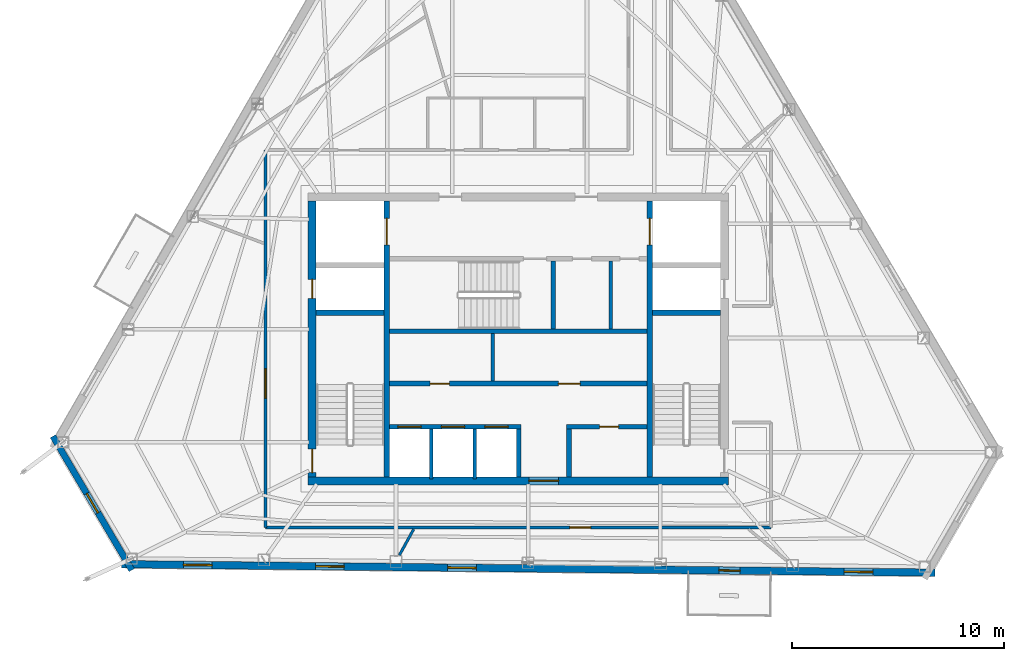
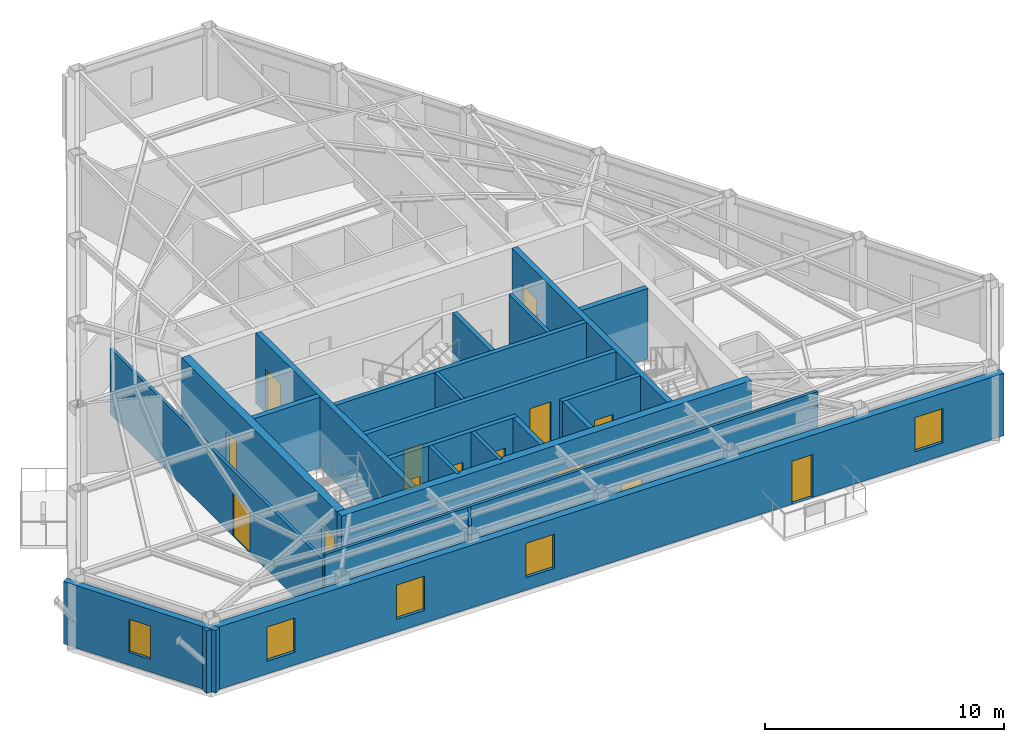
# One storey, part 7 of 11: 22 walls, 14 doors, 5 windows, 19 openings.
"""IFC4 building model written with IfcOpenShell, lengths in metres."""

import ifcopenshell
import ifcopenshell.guid

model = None  # the IFC model being written
_history = None  # IfcOwnerHistory: only IFC2X3 demands one
_inside = {}  # id of a spatial element -> (the spatial element, [elements in it])
_under = {}  # id of a project, library or spatial element -> (it, [spatial elements below it])
_declared = {}  # id of a project -> (the project, [libraries it declares])
_typed = {}  # id of a type object -> (the type object, [elements of that type])
_made_of = {}  # id of a material, layer set ... -> (it, [elements and type objects made of it])


def new_model(schema):
    """Start an empty IFC model of exactly this schema.

    Asked for "IFC4X3", IfcOpenShell would pick the latest addendum, in which some entities
    have other attributes; the version numbers below select the first issue.
    IFC2X3 requires an IfcOwnerHistory on every rooted entity: one is made here for all.
    """
    global model, _history
    if schema == "IFC4X3":
        model = ifcopenshell.file(schema_version=(4, 3, 0, 0))
    else:
        model = ifcopenshell.file(schema=schema)
    _inside.clear()
    _under.clear()
    _declared.clear()
    _typed.clear()
    _made_of.clear()
    _history = None
    if model.schema == "IFC2X3":
        org = make("IfcOrganization", Name="unknown")
        user = make(
            "IfcPersonAndOrganization",
            ThePerson=make("IfcPerson", FamilyName="unknown"),
            TheOrganization=org,
        )
        app = make(
            "IfcApplication",
            ApplicationDeveloper=org,
            Version="unknown",
            ApplicationFullName="unknown",
            ApplicationIdentifier="unknown",
        )
        _history = make(
            "IfcOwnerHistory",
            OwningUser=user,
            OwningApplication=app,
            ChangeAction="ADDED",
            CreationDate=0,
        )
    return model


def make(cls, **values):
    """One entity of the class cls with the attributes given. An attribute that is None is left unset."""
    return model.create_entity(
        cls, **{name: value for name, value in values.items() if value is not None}
    )


def rooted(cls, **values):
    """An entity with a GlobalId (a new one), such as an element, a storey or a relation."""
    return make(cls, GlobalId=ifcopenshell.guid.new(), OwnerHistory=_history, **values)


def si_unit(unit_type, name, prefix=None):
    """IfcSIUnit, for example si_unit("LENGTHUNIT", "METRE", prefix="MILLI")."""
    return make("IfcSIUnit", UnitType=unit_type, Prefix=prefix, Name=name)


def assignment(units):
    """IfcUnitAssignment: the units of a project."""
    return None if units is None else make("IfcUnitAssignment", Units=units)


def point(xyz):
    """IfcCartesianPoint."""
    return None if xyz is None else make("IfcCartesianPoint", Coordinates=xyz)


def direction(xyz):
    """IfcDirection."""
    return None if xyz is None else make("IfcDirection", DirectionRatios=xyz)


def frame(location, z_axis=None, x_axis=None):
    """IfcAxis2Placement3D, a coordinate frame: its origin and axes. An axis left out is left unset."""
    return make(
        "IfcAxis2Placement3D",
        Location=point(location),
        Axis=direction(z_axis),
        RefDirection=direction(x_axis),
    )


def frame_2d(location, x_axis=None):
    """IfcAxis2Placement2D, a coordinate frame in the plane: its origin and x axis."""
    return make(
        "IfcAxis2Placement2D", Location=point(location), RefDirection=direction(x_axis)
    )


def origin():
    """The frame at (0, 0, 0) with its axes left unset."""
    return frame((0.0, 0.0, 0.0))


def place(relative_to, where):
    """IfcLocalPlacement: puts the frame where relative to a parent placement (None: the world)."""
    return make(
        "IfcLocalPlacement", PlacementRelTo=relative_to, RelativePlacement=where
    )


def context(
    kind, dimensions, precision=None, world=None, true_north=None, identifier=None
):
    """IfcGeometricRepresentationContext, for example the 3D "Model" context."""
    return make(
        "IfcGeometricRepresentationContext",
        ContextIdentifier=identifier,
        ContextType=kind,
        CoordinateSpaceDimension=dimensions,
        Precision=precision,
        WorldCoordinateSystem=world,
        TrueNorth=true_north,
    )


def subcontext(parent, identifier, kind, view, scale=None):
    """IfcGeometricRepresentationSubContext, for example "Body" below "Model"."""
    return make(
        "IfcGeometricRepresentationSubContext",
        ContextIdentifier=identifier,
        ContextType=kind,
        ParentContext=parent,
        TargetScale=scale,
        TargetView=view,
    )


def project(units=None, contexts=None):
    """IfcProject with its units and contexts."""
    return rooted(
        "IfcProject",
        Name="project",
        RepresentationContexts=contexts,
        UnitsInContext=assignment(units),
    )


def spatial(cls, under=None, at=None, **own):
    """A site, building, storey or space (cls), placed at a placement, below another one or the project."""
    s = rooted(cls, ObjectPlacement=at, **own)
    if under is not None:
        _under.setdefault(under.id(), (under, []))[1].append(s)
    return s


def profile(cls, at=None, kind="AREA", **sizes):
    """A parametric profile (cls). Its sizes go by their IFC names, for example OverallWidth=200.0."""
    return make(cls, ProfileType=kind, Position=at, **sizes)


def rectangle(**sizes):
    """IfcRectangleProfileDef."""
    return profile("IfcRectangleProfileDef", **sizes)


def extrude(swept, where, along, depth):
    """IfcExtrudedAreaSolid: the profile swept, set in the frame where, extruded along a direction by depth."""
    return make(
        "IfcExtrudedAreaSolid",
        SweptArea=swept,
        Position=where,
        ExtrudedDirection=direction(along),
        Depth=depth,
    )


def shape(context_of_items, identifier, shape_type, items):
    """IfcShapeRepresentation: the items that make up one representation, for example the "Body"."""
    return make(
        "IfcShapeRepresentation",
        ContextOfItems=context_of_items,
        RepresentationIdentifier=identifier,
        RepresentationType=shape_type,
        Items=items,
    )


def material(Name=None, Category=None):
    """IfcMaterial."""
    return make("IfcMaterial", Name=Name, Category=Category)


def layer(
    of_material, thickness, ventilated=None, Name=None, Category=None, Priority=None
):
    """IfcMaterialLayer: one layer of a wall or slab, of a material (None: an air gap)."""
    return make(
        "IfcMaterialLayer",
        Material=of_material,
        LayerThickness=thickness,
        IsVentilated=ventilated,
        Name=Name,
        Category=Category,
        Priority=Priority,
    )


def layer_set(layers, Name=None):
    """IfcMaterialLayerSet."""
    return make("IfcMaterialLayerSet", MaterialLayers=layers, LayerSetName=Name)


def made_of(thing, what):
    """Note that an element or type object is made of a material, layer set ...; save() writes the relation."""
    if what is not None:
        _made_of.setdefault(what.id(), (what, []))[1].append(thing)
    return thing


def type_object(cls, material=None, **own):
    """A type object (cls), such as IfcWallType, which elements share."""
    return made_of(rooted(cls, **own), material)


def element(
    cls,
    number,
    at=None,
    inside=None,
    cuts=None,
    type_object=None,
    material=None,
    context=None,
    identifier="Body",
    shape_type=None,
    held_by="IfcProductDefinitionShape",
    body=None,
    shapes=None,
    **own,
):
    """One element of the class cls, such as IfcWall. Its Tag is "e" and its number.

    at: its placement. inside: the storey or other place that contains it. cuts: it is an
    opening in that element (IfcRelVoidsElement). A single representation is given by context,
    identifier, shape_type and body (its items); several are given by shapes. held_by: the class
    of the entity that holds the representations. save() writes the other relations.
    """
    e = rooted(cls, Tag="e%d" % number, ObjectPlacement=at, **own)
    if body is not None:
        shapes = [shape(context, identifier, shape_type, body)]
    if shapes is not None:
        e.Representation = make(held_by, Representations=shapes)
    if inside is not None:
        _inside.setdefault(inside.id(), (inside, []))[1].append(e)
    if cuts is not None:
        rooted(
            "IfcRelVoidsElement", RelatingBuildingElement=cuts, RelatedOpeningElement=e
        )
    if type_object is not None:
        _typed.setdefault(type_object.id(), (type_object, []))[1].append(e)
    return made_of(e, material)


def fill(opening, filler):
    """IfcRelFillsElement: the door or window that sits in an opening."""
    return rooted(
        "IfcRelFillsElement",
        RelatingOpeningElement=opening,
        RelatedBuildingElement=filler,
    )


def aggregate(whole, parts):
    """IfcRelAggregates: a whole, such as a stair, and the parts it consists of."""
    return rooted("IfcRelAggregates", RelatingObject=whole, RelatedObjects=parts)


def save(model, path):
    """Write the relations noted so far, then the file.

    IfcRelAggregates (storeys below a building ...), IfcRelContainedInSpatialStructure (elements
    in a storey), IfcRelDefinesByType, IfcRelAssociatesMaterial and IfcRelDeclares: one each for
    every whole, place, type object, material and project.
    """
    for whole, parts in _under.values():
        aggregate(whole, parts)
    for where, things in _inside.values():
        rooted(
            "IfcRelContainedInSpatialStructure",
            RelatedElements=things,
            RelatingStructure=where,
        )
    for kind, things in _typed.values():
        rooted("IfcRelDefinesByType", RelatedObjects=things, RelatingType=kind)
    for what, things in _made_of.values():
        rooted("IfcRelAssociatesMaterial", RelatedObjects=things, RelatingMaterial=what)
    for by, libraries in _declared.values():
        rooted("IfcRelDeclares", RelatingContext=by, RelatedDefinitions=libraries)
    model.write(path)


model = new_model("IFC4")

# Units and contexts
model_context = context("Model", 3, precision=1e-05, world=origin(), true_north=direction((0.0, 1.0)))
body_context = subcontext(model_context, "Body", "Model", "MODEL_VIEW")
ifc_project = project(units=[si_unit("LENGTHUNIT", "METRE"), si_unit("AREAUNIT", "SQUARE_METRE"), si_unit("VOLUMEUNIT", "CUBIC_METRE"), si_unit("PLANEANGLEUNIT", "RADIAN"), si_unit("MASSUNIT", "GRAM", prefix="KILO")], contexts=[model_context])

# Site, building, storey
site_placement = place(None, origin())
site = spatial("IfcSite", under=ifc_project, at=site_placement, CompositionType="ELEMENT")
building_placement = place(site_placement, origin())
building = spatial("IfcBuilding", under=site, at=building_placement, Name="Kavelnor Concourse Tower", CompositionType="ELEMENT")
storey_placement = place(building_placement, frame((0.0, 0.0, 262.60009765625)))
storey = spatial("IfcBuildingStorey", under=building, at=storey_placement, Name="L66", CompositionType="ELEMENT", Elevation=262.60009765625)

# Wall, opening, door
ifc_material_1 = material(Name="Concrete C50/60", Category="concrete")
ifc_layer_1 = layer(ifc_material_1, 0.3798828125, Name="Concrete C50/60")
ifc_layer_set_1 = layer_set([ifc_layer_1], Name="Concrete C50/60")
wall_type_1 = type_object("IfcWallType", Name="WL-CORE-Z4-380", PredefinedType="SOLIDWALL", material=ifc_layer_set_1)
wall_1_placement = place(storey_placement, frame((28.10009765625, 9.409912109375, 0.0), z_axis=(0.0, 0.0, 1.0), x_axis=(1.0, 0.0, 0.0)))
wall_1 = element("IfcWall", 1, at=wall_1_placement, inside=storey, type_object=wall_type_1, Name="L66 Central Core South Shear Wall", PredefinedType="SOLIDWALL", context=body_context, shape_type="SweptSolid", body=[
    extrude(rectangle(XDim=19.7998046875, YDim=0.3798828125, at=frame_2d((9.89990234375, 0.0))), origin(), (0.0, 0.0, 1.0), 3.60986328125),
])
opening_1_placement = place(wall_1_placement, frame((10.39990234375, 0.0, 0.0)))
opening_1 = element("IfcOpeningElement", 2, at=opening_1_placement, cuts=wall_1, Name="Opening SD-140", PredefinedType="OPENING", context=body_context, shape_type="SweptSolid", body=[
    extrude(rectangle(XDim=1.39990234375, YDim=2.199951171875, at=frame_2d((0.699951171875, 1.10009765625))), frame((0.0, 0.199951171875, 0.0), z_axis=(0.0, -1.0, 0.0), x_axis=(1.0, 0.0, 0.0)), (0.0, 0.0, 1.0), 0.39990234375),
])
ifc_material_2 = material(Name="Solid-core hardwood timber", Category="wood")
door_type_1 = type_object("IfcDoorType", Name="DR-SUITE-ENTRY-1400", OperationType="NOTDEFINED", PredefinedType="DOOR", material=ifc_material_2)
door_1_placement = place(opening_1_placement, origin())
door_1 = element("IfcDoor", 3, at=door_1_placement, inside=storey, type_object=door_type_1, Name="L66 Passenger Lift Lobby Entry Door", OperationType="SINGLE_SWING_LEFT", OverallHeight=2.199951171875, OverallWidth=1.39990234375, PredefinedType="DOOR", context=body_context, shape_type="SweptSolid", body=[
    extrude(rectangle(XDim=1.39990234375, YDim=2.199951171875, at=frame_2d((0.699951171875, 1.10009765625))), frame((0.0, 0.02490234375, 0.0), z_axis=(0.0, -1.0, 0.0), x_axis=(1.0, 0.0, 0.0)), (0.0, 0.0, 1.0), 0.050048828125),
])
fill(opening_1, door_1)

# Wall, openings, doors
wall_2_placement = place(storey_placement, frame((28.2900390625, 9.60009765625, 0.0), z_axis=(0.0, 0.0, 1.0), x_axis=(0.0, 1.0, 0.0)))
wall_2 = element("IfcWall", 4, at=wall_2_placement, inside=storey, type_object=wall_type_1, Name="L66 Central Core West Shear Wall", PredefinedType="SOLIDWALL", context=body_context, shape_type="SweptSolid", body=[
    extrude(rectangle(XDim=13.0, YDim=0.3798828125, at=frame_2d((6.5, 0.0))), origin(), (0.0, 0.0, 1.0), 3.60986328125),
])
opening_2_placement = place(wall_2_placement, frame((0.199951171875, 0.0, 0.0)))
opening_2 = element("IfcOpeningElement", 5, at=opening_2_placement, cuts=wall_2, Name="Opening FD-110", PredefinedType="OPENING", context=body_context, shape_type="SweptSolid", body=[
    extrude(rectangle(XDim=1.10009765625, YDim=2.14990234375, at=frame_2d((0.550048828125, 1.074951171875))), frame((0.0, 0.199951171875, 0.0), z_axis=(0.0, -1.0, 0.0), x_axis=(1.0, 0.0, 0.0)), (0.0, 0.0, 1.0), 0.39990234375),
])
opening_3_placement = place(wall_2_placement, frame((8.39990234375, 0.0, 0.0)))
opening_3 = element("IfcOpeningElement", 6, at=opening_3_placement, cuts=wall_2, Name="Opening FD-090", PredefinedType="OPENING", context=body_context, shape_type="SweptSolid", body=[
    extrude(rectangle(XDim=0.89990234375, YDim=2.10009765625, at=frame_2d((0.449951171875, 1.050048828125))), frame((0.0, 0.199951171875, 0.0), z_axis=(0.0, -1.0, 0.0), x_axis=(1.0, 0.0, 0.0)), (0.0, 0.0, 1.0), 0.39990234375),
])
ifc_material_3 = material(Name="Steel Grade 350", Category="steel")
door_type_2 = type_object("IfcDoorType", Name="DR-RISER-FIRE-900", OperationType="NOTDEFINED", PredefinedType="DOOR", material=ifc_material_3)
door_2_placement = place(opening_3_placement, origin())
door_2 = element("IfcDoor", 7, at=door_2_placement, inside=storey, type_object=door_type_2, Name="L66 West Riser Access Door", OperationType="SINGLE_SWING_RIGHT", OverallHeight=2.10009765625, OverallWidth=0.89990234375, PredefinedType="DOOR", context=body_context, shape_type="SweptSolid", body=[
    extrude(rectangle(XDim=0.89990234375, YDim=2.10009765625, at=frame_2d((0.449951171875, 1.050048828125))), frame((0.0, 0.02490234375, 0.0), z_axis=(0.0, -1.0, 0.0), x_axis=(1.0, 0.0, 0.0)), (0.0, 0.0, 1.0), 0.050048828125),
])
fill(opening_3, door_2)
door_type_3 = type_object("IfcDoorType", Name="DR-STAIR-FIRE-1100", OperationType="NOTDEFINED", PredefinedType="DOOR", material=ifc_material_3)
door_3_placement = place(opening_2_placement, origin())
door_3 = element("IfcDoor", 8, at=door_3_placement, inside=storey, type_object=door_type_3, Name="L66 Stair ST1 Fire Door", OperationType="SINGLE_SWING_LEFT", OverallHeight=2.14990234375, OverallWidth=1.10009765625, PredefinedType="DOOR", context=body_context, shape_type="SweptSolid", body=[
    extrude(rectangle(XDim=1.10009765625, YDim=2.14990234375, at=frame_2d((0.550048828125, 1.074951171875))), frame((0.0, 0.02490234375, 0.0), z_axis=(0.0, -1.0, 0.0), x_axis=(1.0, 0.0, 0.0)), (0.0, 0.0, 1.0), 0.050048828125),
])
fill(opening_2, door_3)

# Wall, opening, window
ifc_material_4 = material(Name="Buff ironspot clay face brick masonry", Category="masonry")
ifc_layer_2 = layer(ifc_material_4, 0.300048828125, Name="Buff ironspot clay face brick masonry")
ifc_layer_set_2 = layer_set([ifc_layer_2], Name="Buff ironspot clay face brick masonry")
wall_type_2 = type_object("IfcWallType", Name="WL-EXT-BUFF-BRICK-FOLD-300", PredefinedType="STANDARD", material=ifc_layer_set_2)
wall_3_placement = place(storey_placement, frame((19.791748046875, 5.202392578125, 0.0), z_axis=(0.0, 0.0, 1.0), x_axis=(-0.507700707672, 0.861533511495, 0.0)))
wall_3 = element("IfcWall", 9, at=wall_3_placement, inside=storey, type_object=wall_type_2, Name="L66 Exterior Brick Facade Wall E2", PredefinedType="STANDARD", context=body_context, shape_type="SweptSolid", body=[
    extrude(rectangle(XDim=7.3193359375, YDim=0.300048828125, at=frame_2d((3.65966796875, 0.0))), origin(), (0.0, 0.0, 1.0), 3.19580078125),
])
opening_4_placement = place(wall_3_placement, frame((3.134765625, 0.0, 0.64990234375)))
opening_4 = element("IfcOpeningElement", 10, at=opening_4_placement, cuts=wall_3, Name="Opening W-06", PredefinedType="OPENING", context=body_context, shape_type="SweptSolid", body=[
    extrude(rectangle(XDim=1.050048828125, YDim=1.699951171875, at=frame_2d((0.52490234375, 0.85009765625))), frame((0.0, 0.16015625, 0.0), z_axis=(0.0, -1.0, 0.0), x_axis=(1.0, 0.0, 0.0)), (0.0, 0.0, 1.0), 0.320068359375),
])
ifc_material_5 = material(Name="Double low-E argon insulated glazing", Category="glass")
window_type_1 = type_object("IfcWindowType", Name="WIN-FOLD-1050", PartitioningType="SINGLE_PANEL", PredefinedType="WINDOW", material=ifc_material_5)
window_1_placement = place(opening_4_placement, origin())
window_1 = element("IfcWindow", 11, at=window_1_placement, inside=storey, type_object=window_type_1, Name="L66 Chamfer-Fold Facet Window C1", OverallHeight=1.699951171875, OverallWidth=1.050048828125, PartitioningType="SINGLE_PANEL", PredefinedType="WINDOW", context=body_context, shape_type="SweptSolid", body=[
    extrude(rectangle(XDim=1.050048828125, YDim=1.699951171875, at=frame_2d((0.52490234375, 0.85009765625))), frame((0.0, 0.030029296875, 0.0), z_axis=(0.0, -1.0, 0.0), x_axis=(1.0, 0.0, 0.0)), (0.0, 0.0, 1.0), 0.06005859375),
])
fill(opening_4, window_1)

# Wall, openings, door, windows
ifc_material_6 = material(Name="Red-ochre clay face brick masonry", Category="masonry")
ifc_layer_3 = layer(ifc_material_6, 0.35009765625, Name="Red-ochre clay face brick masonry")
ifc_layer_set_3 = layer_set([ifc_layer_3], Name="Red-ochre clay face brick masonry")
wall_type_3 = type_object("IfcWallType", Name="WL-EXT-RED-BRICK-PIER-350", PredefinedType="STANDARD", material=ifc_layer_set_3)
wall_4_placement = place(storey_placement, frame((57.623291015625, 5.08203125, 0.0), z_axis=(0.0, 0.0, 1.0), x_axis=(-0.999946058155, 0.010386567308, 0.0)))
wall_4 = element("IfcWall", 12, at=wall_4_placement, inside=storey, type_object=wall_type_3, Name="L66 Exterior Brick Facade Wall E3", PredefinedType="STANDARD", context=body_context, shape_type="SweptSolid", body=[
    extrude(rectangle(XDim=38.313720703125, YDim=0.35009765625, at=frame_2d((19.15673828125, 0.0))), origin(), (0.0, 0.0, 1.0), 3.19580078125),
])
opening_5_placement = place(wall_4_placement, frame((9.178466796875, 0.0, 0.0)))
opening_5 = element("IfcOpeningElement", 13, at=opening_5_placement, cuts=wall_4, Name="Opening BD-100", PredefinedType="OPENING", context=body_context, shape_type="SweptSolid", body=[
    extrude(rectangle(XDim=1.0, YDim=2.199951171875, at=frame_2d((0.5, 1.10009765625))), frame((0.0, 0.18505859375, 0.0), z_axis=(0.0, -1.0, 0.0), x_axis=(1.0, 0.0, 0.0)), (0.0, 0.0, 1.0), 0.3701171875),
])
opening_6_placement = place(wall_4_placement, frame((34.054443359375, 0.0, 0.64990234375)))
opening_6 = element("IfcOpeningElement", 14, at=opening_6_placement, cuts=wall_4, Name="Opening W-04", PredefinedType="OPENING", context=body_context, shape_type="SweptSolid", body=[
    extrude(rectangle(XDim=1.35009765625, YDim=1.75, at=frame_2d((0.675048828125, 0.875))), frame((0.0, 0.18505859375, 0.0), z_axis=(0.0, -1.0, 0.0), x_axis=(1.0, 0.0, 0.0)), (0.0, 0.0, 1.0), 0.3701171875),
])
opening_7_placement = place(wall_4_placement, frame((27.827392578125, 0.0, 0.64990234375)))
opening_7 = element("IfcOpeningElement", 15, at=opening_7_placement, cuts=wall_4, Name="Opening W-04", PredefinedType="OPENING", context=body_context, shape_type="SweptSolid", body=[
    extrude(rectangle(XDim=1.35009765625, YDim=1.75, at=frame_2d((0.675048828125, 0.875))), frame((0.0, 0.18505859375, 0.0), z_axis=(0.0, -1.0, 0.0), x_axis=(1.0, 0.0, 0.0)), (0.0, 0.0, 1.0), 0.3701171875),
])
opening_8_placement = place(wall_4_placement, frame((21.6005859375, 0.0, 0.64990234375)))
opening_8 = element("IfcOpeningElement", 16, at=opening_8_placement, cuts=wall_4, Name="Opening W-04", PredefinedType="OPENING", context=body_context, shape_type="SweptSolid", body=[
    extrude(rectangle(XDim=1.35009765625, YDim=1.75, at=frame_2d((0.675048828125, 0.875))), frame((0.0, 0.18505859375, 0.0), z_axis=(0.0, -1.0, 0.0), x_axis=(1.0, 0.0, 0.0)), (0.0, 0.0, 1.0), 0.3701171875),
])
opening_9_placement = place(wall_4_placement, frame((2.91943359375, 0.0, 0.64990234375)))
opening_9 = element("IfcOpeningElement", 17, at=opening_9_placement, cuts=wall_4, Name="Opening W-04", PredefinedType="OPENING", context=body_context, shape_type="SweptSolid", body=[
    extrude(rectangle(XDim=1.35009765625, YDim=1.75, at=frame_2d((0.675048828125, 0.875))), frame((0.0, 0.18505859375, 0.0), z_axis=(0.0, -1.0, 0.0), x_axis=(1.0, 0.0, 0.0)), (0.0, 0.0, 1.0), 0.3701171875),
])
ifc_material_7 = material(Name="Anodised aluminium 6063-T6", Category="aluminium")
door_type_4 = type_object("IfcDoorType", Name="DR-BALCONY-EXT-1000", OperationType="NOTDEFINED", PredefinedType="DOOR", material=ifc_material_7)
door_4_placement = place(opening_5_placement, origin())
door_4 = element("IfcDoor", 18, at=door_4_placement, inside=storey, type_object=door_type_4, Name="L66 Tree Balcony 2 Glazed Door", OperationType="SINGLE_SWING_RIGHT", OverallHeight=2.199951171875, OverallWidth=1.0, PredefinedType="DOOR", context=body_context, shape_type="SweptSolid", body=[
    extrude(rectangle(XDim=1.0, YDim=2.199951171875, at=frame_2d((0.5, 1.10009765625))), frame((0.0, 0.02490234375, 0.0), z_axis=(0.0, -1.0, 0.0), x_axis=(1.0, 0.0, 0.0)), (0.0, 0.0, 1.0), 0.050048828125),
])
fill(opening_5, door_4)
window_type_2 = type_object("IfcWindowType", Name="WIN-PIER-Z4-1350", PartitioningType="SINGLE_PANEL", PredefinedType="WINDOW", material=ifc_material_5)
window_2_placement = place(opening_6_placement, origin())
window_2 = element("IfcWindow", 19, at=window_2_placement, inside=storey, type_object=window_type_2, Name="L66 Deep-Set Brick Pier Window F1-B0", OverallHeight=1.75, OverallWidth=1.35009765625, PartitioningType="SINGLE_PANEL", PredefinedType="WINDOW", context=body_context, shape_type="SweptSolid", body=[
    extrude(rectangle(XDim=1.35009765625, YDim=1.75, at=frame_2d((0.675048828125, 0.875))), frame((0.0, 0.030029296875, 0.0), z_axis=(0.0, -1.0, 0.0), x_axis=(1.0, 0.0, 0.0)), (0.0, 0.0, 1.0), 0.06005859375),
])
fill(opening_6, window_2)
window_3_placement = place(opening_7_placement, origin())
window_3 = element("IfcWindow", 20, at=window_3_placement, inside=storey, type_object=window_type_2, Name="L66 Deep-Set Brick Pier Window F1-B1", OverallHeight=1.75, OverallWidth=1.35009765625, PartitioningType="SINGLE_PANEL", PredefinedType="WINDOW", context=body_context, shape_type="SweptSolid", body=[
    extrude(rectangle(XDim=1.35009765625, YDim=1.75, at=frame_2d((0.675048828125, 0.875))), frame((0.0, 0.030029296875, 0.0), z_axis=(0.0, -1.0, 0.0), x_axis=(1.0, 0.0, 0.0)), (0.0, 0.0, 1.0), 0.06005859375),
])
fill(opening_7, window_3)
window_4_placement = place(opening_8_placement, origin())
window_4 = element("IfcWindow", 21, at=window_4_placement, inside=storey, type_object=window_type_2, Name="L66 Deep-Set Brick Pier Window F1-B2", OverallHeight=1.75, OverallWidth=1.35009765625, PartitioningType="SINGLE_PANEL", PredefinedType="WINDOW", context=body_context, shape_type="SweptSolid", body=[
    extrude(rectangle(XDim=1.35009765625, YDim=1.75, at=frame_2d((0.675048828125, 0.875))), frame((0.0, 0.030029296875, 0.0), z_axis=(0.0, -1.0, 0.0), x_axis=(1.0, 0.0, 0.0)), (0.0, 0.0, 1.0), 0.06005859375),
])
fill(opening_8, window_4)
window_5_placement = place(opening_9_placement, origin())
window_5 = element("IfcWindow", 22, at=window_5_placement, inside=storey, type_object=window_type_2, Name="L66 Deep-Set Brick Pier Window F1-B5", OverallHeight=1.75, OverallWidth=1.35009765625, PartitioningType="SINGLE_PANEL", PredefinedType="WINDOW", context=body_context, shape_type="SweptSolid", body=[
    extrude(rectangle(XDim=1.35009765625, YDim=1.75, at=frame_2d((0.675048828125, 0.875))), frame((0.0, 0.030029296875, 0.0), z_axis=(0.0, -1.0, 0.0), x_axis=(1.0, 0.0, 0.0)), (0.0, 0.0, 1.0), 0.06005859375),
])
fill(opening_9, window_5)

# Wall, opening, door
ifc_material_8 = material(Name="Gypsum plasterboard on light-gauge steel studs", Category="steel")
ifc_layer_4 = layer(ifc_material_8, 0.14501953125, Name="Gypsum plasterboard on light-gauge steel studs")
ifc_layer_set_4 = layer_set([ifc_layer_4], Name="Gypsum plasterboard on light-gauge steel studs")
wall_type_4 = type_object("IfcWallType", Name="WL-INT-CORR-145", PredefinedType="PARTITIONING", material=ifc_layer_set_4)
wall_5_placement = place(storey_placement, frame((49.909912109375, 7.2099609375, 0.0), z_axis=(0.0, 0.0, 1.0), x_axis=(-1.0, 0.0, 0.0)))
wall_5 = element("IfcWall", 23, at=wall_5_placement, inside=storey, type_object=wall_type_4, Name="L66 Corridor Wall WL-L66-CR-09", PredefinedType="PARTITIONING", context=body_context, shape_type="SweptSolid", body=[
    extrude(rectangle(XDim=23.81982421875, YDim=0.14501953125, at=frame_2d((11.909912109375, 0.0))), origin(), (0.0, 0.0, 1.0), 3.60986328125),
])
opening_10_placement = place(wall_5_placement, frame((8.49853515625, 0.0, 0.0)))
opening_10 = element("IfcOpeningElement", 24, at=opening_10_placement, cuts=wall_5, Name="Opening OD-098", PredefinedType="OPENING", context=body_context, shape_type="SweptSolid", body=[
    extrude(rectangle(XDim=0.97998046875, YDim=2.14990234375, at=frame_2d((0.489990234375, 1.074951171875))), frame((0.0, 0.08251953125, 0.0), z_axis=(0.0, -1.0, 0.0), x_axis=(1.0, 0.0, 0.0)), (0.0, 0.0, 1.0), 0.1650390625),
])
door_type_5 = type_object("IfcDoorType", Name="DR-OFFICE-980", OperationType="NOTDEFINED", PredefinedType="DOOR", material=ifc_material_2)
door_5_placement = place(opening_10_placement, origin())
door_5 = element("IfcDoor", 25, at=door_5_placement, inside=storey, type_object=door_type_5, Name="L66 Tenant Bookstore Retail Shop 06 Door", OperationType="SINGLE_SWING_LEFT", OverallHeight=2.14990234375, OverallWidth=0.97998046875, PredefinedType="DOOR", context=body_context, shape_type="SweptSolid", body=[
    extrude(rectangle(XDim=0.97998046875, YDim=2.14990234375, at=frame_2d((0.489990234375, 1.074951171875))), frame((0.0, 0.02490234375, 0.0), z_axis=(0.0, -1.0, 0.0), x_axis=(1.0, 0.0, 0.0)), (0.0, 0.0, 1.0), 0.050048828125),
])
fill(opening_10, door_5)

wall_6_placement = place(storey_placement, frame((26.090087890625, 7.2099609375, 0.0), z_axis=(0.0, 0.0, 1.0), x_axis=(0.0, 1.0, 0.0)))
wall_6 = element("IfcWall", 26, at=wall_6_placement, inside=storey, type_object=wall_type_4, Name="L66 Corridor Wall WL-L66-CR-10", PredefinedType="PARTITIONING", context=body_context, shape_type="SweptSolid", body=[
    extrude(rectangle(XDim=17.780029296875, YDim=0.14501953125, at=frame_2d((8.89013671875, 0.0))), origin(), (0.0, 0.0, 1.0), 3.348876953125),
])
opening_11_placement = place(wall_6_placement, frame((6.078369140625, 0.0, 0.0)))
opening_11 = element("IfcOpeningElement", 27, at=opening_11_placement, cuts=wall_6, Name="Opening SD-140", PredefinedType="OPENING", context=body_context, shape_type="SweptSolid", body=[
    extrude(rectangle(XDim=1.39990234375, YDim=2.199951171875, at=frame_2d((0.699951171875, 1.10009765625))), frame((0.0, 0.08251953125, 0.0), z_axis=(0.0, -1.0, 0.0), x_axis=(1.0, 0.0, 0.0)), (0.0, 0.0, 1.0), 0.1650390625),
])
door_6_placement = place(opening_11_placement, origin())
door_6 = element("IfcDoor", 28, at=door_6_placement, inside=storey, type_object=door_type_1, Name="L66 Tenant Bookstore Retail Shop 05 Door", OperationType="SINGLE_SWING_RIGHT", OverallHeight=2.199951171875, OverallWidth=1.39990234375, PredefinedType="DOOR", context=body_context, shape_type="SweptSolid", body=[
    extrude(rectangle(XDim=1.39990234375, YDim=2.199951171875, at=frame_2d((0.699951171875, 1.10009765625))), frame((0.0, 0.02490234375, 0.0), z_axis=(0.0, -1.0, 0.0), x_axis=(1.0, 0.0, 0.0)), (0.0, 0.0, 1.0), 0.050048828125),
])
fill(opening_11, door_6)

# Walls
ifc_layer_5 = layer(ifc_material_8, 0.1650390625, Name="Gypsum plasterboard on light-gauge steel studs")
ifc_layer_set_5 = layer_set([ifc_layer_5], Name="Gypsum plasterboard on light-gauge steel studs")
wall_type_5 = type_object("IfcWallType", Name="WL-INT-FIRE-165", PredefinedType="PARTITIONING", material=ifc_layer_set_5)
for number, where, z_axis, x_axis, name in (
    (29, (33.89990234375, 9.489990234375, 0.0), (0.0, 0.0, 1.0), (0.0, 1.0, 0.0), "L66 Lift Shaft Divider LP7"),
    (30, (35.949951171875, 9.489990234375, 0.0), (0.0, 0.0, 1.0), (0.0, 1.0, 0.0), "L66 Lift Shaft Divider LP8"),
):
    element("IfcWall", number, at=place(storey_placement, frame(where, z_axis=z_axis, x_axis=x_axis)), inside=storey, type_object=wall_type_5, Name=name, PredefinedType="PARTITIONING", context=body_context, shape_type="SweptSolid", body=[
        extrude(rectangle(XDim=2.35009765625, YDim=0.1650390625, at=frame_2d((1.175048828125, 0.0))), origin(), (0.0, 0.0, 1.0), 3.60986328125),
    ])
wall_7_placement = place(storey_placement, frame((36.800048828125, 14.10009765625, 0.0), z_axis=(0.0, 0.0, 1.0), x_axis=(0.0, 1.0, 0.0)))
element("IfcWall", 31, at=wall_7_placement, inside=storey, type_object=wall_type_5, Name="L66 Reclaimed Core Partition A", PredefinedType="PARTITIONING", context=body_context, shape_type="SweptSolid", body=[
    extrude(rectangle(XDim=2.239990234375, YDim=0.1650390625, at=frame_2d((1.1201171875, 0.0))), origin(), (0.0, 0.0, 1.0), 3.60986328125),
])
wall_8_placement = place(storey_placement, frame((42.35009765625, 16.56005859375, 0.0), z_axis=(0.0, 0.0, 1.0), x_axis=(0.0, 1.0, 0.0)))
element("IfcWall", 32, at=wall_8_placement, inside=storey, type_object=wall_type_5, Name="L66 Core Support Asymmetric Divider", PredefinedType="PARTITIONING", context=body_context, shape_type="SweptSolid", body=[
    extrude(rectangle(XDim=3.199951171875, YDim=0.1650390625, at=frame_2d((1.60009765625, 0.0))), origin(), (0.0, 0.0, 1.0), 3.60986328125),
])
ifc_layer_6 = layer(ifc_material_8, 0.125, Name="Gypsum plasterboard on light-gauge steel studs")
ifc_layer_set_6 = layer_set([ifc_layer_6], Name="Gypsum plasterboard on light-gauge steel studs")
wall_type_6 = type_object("IfcWallType", Name="WL-INT-SUITE-125", PredefinedType="PARTITIONING", material=ifc_layer_set_6)
wall_9_placement = place(storey_placement, frame((33.070556640625, 7.12939453125, 0.0), z_axis=(0.0, 0.0, 1.0), x_axis=(-0.481650666778, -0.876363300916, 0.0)))
element("IfcWall", 33, at=wall_9_placement, inside=storey, type_object=wall_type_6, Name="L66 Radial Suite Partition 04", PredefinedType="PARTITIONING", context=body_context, shape_type="SweptSolid", body=[
    extrude(rectangle(XDim=1.3984375, YDim=0.125, at=frame_2d((0.69921875, 0.0))), origin(), (0.0, 0.0, 1.0), 3.60986328125),
])
ifc_layer_7 = layer(ifc_material_1, 0.219970703125, Name="Concrete C50/60")
ifc_layer_set_7 = layer_set([ifc_layer_7], Name="Concrete C50/60")
wall_type_7 = type_object("IfcWallType", Name="WL-SHAFT-220", PredefinedType="SOLIDWALL", material=ifc_layer_set_7)
wall_10_placement = place(storey_placement, frame((31.93994140625, 16.449951171875, 0.0), z_axis=(0.0, 0.0, 1.0), x_axis=(1.0, 0.0, 0.0)))
element("IfcWall", 34, at=wall_10_placement, inside=storey, type_object=wall_type_7, Name="L66 Stair ST3 South Core Wall", PredefinedType="SOLIDWALL", context=body_context, shape_type="SweptSolid", body=[
    extrude(rectangle(XDim=12.1201171875, YDim=0.219970703125, at=frame_2d((6.06005859375, 0.0))), origin(), (0.0, 0.0, 1.0), 3.60986328125),
])
wall_11_placement = place(storey_placement, frame((39.64990234375, 16.56005859375, 0.0), z_axis=(0.0, 0.0, 1.0), x_axis=(0.0, 1.0, 0.0)))
element("IfcWall", 35, at=wall_11_placement, inside=storey, type_object=wall_type_7, Name="L66 Stair ST3 East Core Wall", PredefinedType="SOLIDWALL", context=body_context, shape_type="SweptSolid", body=[
    extrude(rectangle(XDim=3.199951171875, YDim=0.219970703125, at=frame_2d((1.60009765625, 0.0))), origin(), (0.0, 0.0, 1.0), 3.60986328125),
])

# Wall, openings, doors
wall_12_placement = place(storey_placement, frame((31.93994140625, 13.989990234375, 0.0), z_axis=(0.0, 0.0, 1.0), x_axis=(1.0, 0.0, 0.0)))
wall_12 = element("IfcWall", 36, at=wall_12_placement, inside=storey, type_object=wall_type_7, Name="L66 North Lift Row Shaft Wall", PredefinedType="SOLIDWALL", context=body_context, shape_type="SweptSolid", body=[
    extrude(rectangle(XDim=12.1201171875, YDim=0.219970703125, at=frame_2d((6.06005859375, 0.0))), origin(), (0.0, 0.0, 1.0), 3.60986328125),
])
opening_12_placement = place(wall_12_placement, frame((1.909912109375, 0.0, 0.0)))
opening_12 = element("IfcOpeningElement", 37, at=opening_12_placement, cuts=wall_12, Name="Opening FD-090", PredefinedType="OPENING", context=body_context, shape_type="SweptSolid", body=[
    extrude(rectangle(XDim=0.89990234375, YDim=2.10009765625, at=frame_2d((0.449951171875, 1.050048828125))), frame((0.0, 0.1201171875, 0.0), z_axis=(0.0, -1.0, 0.0), x_axis=(1.0, 0.0, 0.0)), (0.0, 0.0, 1.0), 0.239990234375),
])
opening_13_placement = place(wall_12_placement, frame((7.949951171875, 0.0, 0.0)))
opening_13 = element("IfcOpeningElement", 38, at=opening_13_placement, cuts=wall_12, Name="Opening MD-102", PredefinedType="OPENING", context=body_context, shape_type="SweptSolid", body=[
    extrude(rectangle(XDim=1.02001953125, YDim=2.14990234375, at=frame_2d((0.510009765625, 1.074951171875))), frame((0.0, 0.1201171875, 0.0), z_axis=(0.0, -1.0, 0.0), x_axis=(1.0, 0.0, 0.0)), (0.0, 0.0, 1.0), 0.239990234375),
])
ifc_material_9 = material(Name="Acoustic glazed timber frame", Category="wood")
door_type_6 = type_object("IfcDoorType", Name="DR-MEETING-1020", OperationType="NOTDEFINED", PredefinedType="DOOR", material=ifc_material_9)
door_7_placement = place(opening_13_placement, origin())
door_7 = element("IfcDoor", 39, at=door_7_placement, inside=storey, type_object=door_type_6, Name="L66 Briefing Room Door", OperationType="SINGLE_SWING_RIGHT", OverallHeight=2.14990234375, OverallWidth=1.02001953125, PredefinedType="DOOR", context=body_context, shape_type="SweptSolid", body=[
    extrude(rectangle(XDim=1.02001953125, YDim=2.14990234375, at=frame_2d((0.510009765625, 1.074951171875))), frame((0.0, 0.02490234375, 0.0), z_axis=(0.0, -1.0, 0.0), x_axis=(1.0, 0.0, 0.0)), (0.0, 0.0, 1.0), 0.050048828125),
])
fill(opening_13, door_7)
door_8_placement = place(opening_12_placement, origin())
door_8 = element("IfcDoor", 40, at=door_8_placement, inside=storey, type_object=door_type_2, Name="L66 IT Room Door", OperationType="SINGLE_SWING_LEFT", OverallHeight=2.10009765625, OverallWidth=0.89990234375, PredefinedType="DOOR", context=body_context, shape_type="SweptSolid", body=[
    extrude(rectangle(XDim=0.89990234375, YDim=2.10009765625, at=frame_2d((0.449951171875, 1.050048828125))), frame((0.0, 0.02490234375, 0.0), z_axis=(0.0, -1.0, 0.0), x_axis=(1.0, 0.0, 0.0)), (0.0, 0.0, 1.0), 0.050048828125),
])
fill(opening_12, door_8)

wall_13_placement = place(storey_placement, frame((31.93994140625, 11.949951171875, 0.0), z_axis=(0.0, 0.0, 1.0), x_axis=(1.0, 0.0, 0.0)))
wall_13 = element("IfcWall", 41, at=wall_13_placement, inside=storey, type_object=wall_type_7, Name="L66 High-Rise Lift Bank North Wall", PredefinedType="SOLIDWALL", context=body_context, shape_type="SweptSolid", body=[
    extrude(rectangle(XDim=6.18994140625, YDim=0.219970703125, at=frame_2d((3.094970703125, 0.0))), origin(), (0.0, 0.0, 1.0), 3.60986328125),
])
opening_14_placement = place(wall_13_placement, frame((0.385009765625, 0.0, 0.0)))
opening_14 = element("IfcOpeningElement", 42, at=opening_14_placement, cuts=wall_13, Name="Opening LD-110", PredefinedType="OPENING", context=body_context, shape_type="SweptSolid", body=[
    extrude(rectangle(XDim=1.10009765625, YDim=2.199951171875, at=frame_2d((0.550048828125, 1.10009765625))), frame((0.0, 0.1201171875, 0.0), z_axis=(0.0, -1.0, 0.0), x_axis=(1.0, 0.0, 0.0)), (0.0, 0.0, 1.0), 0.239990234375),
])
opening_15_placement = place(wall_13_placement, frame((2.43505859375, 0.0, 0.0)))
opening_15 = element("IfcOpeningElement", 43, at=opening_15_placement, cuts=wall_13, Name="Opening LD-110", PredefinedType="OPENING", context=body_context, shape_type="SweptSolid", body=[
    extrude(rectangle(XDim=1.10009765625, YDim=2.199951171875, at=frame_2d((0.550048828125, 1.10009765625))), frame((0.0, 0.1201171875, 0.0), z_axis=(0.0, -1.0, 0.0), x_axis=(1.0, 0.0, 0.0)), (0.0, 0.0, 1.0), 0.239990234375),
])
opening_16_placement = place(wall_13_placement, frame((4.485107421875, 0.0, 0.0)))
opening_16 = element("IfcOpeningElement", 44, at=opening_16_placement, cuts=wall_13, Name="Opening LD-110", PredefinedType="OPENING", context=body_context, shape_type="SweptSolid", body=[
    extrude(rectangle(XDim=1.10009765625, YDim=2.199951171875, at=frame_2d((0.550048828125, 1.10009765625))), frame((0.0, 0.1201171875, 0.0), z_axis=(0.0, -1.0, 0.0), x_axis=(1.0, 0.0, 0.0)), (0.0, 0.0, 1.0), 0.239990234375),
])
door_type_7 = type_object("IfcDoorType", Name="DR-LIFT-SLIDING-1100", OperationType="NOTDEFINED", PredefinedType="DOOR", material=ifc_material_3)
door_9_placement = place(opening_14_placement, origin())
door_9 = element("IfcDoor", 45, at=door_9_placement, inside=storey, type_object=door_type_7, Name="L66 Lift LP7 Landing Door", OperationType="DOUBLE_DOOR_SLIDING", OverallHeight=2.199951171875, OverallWidth=1.10009765625, PredefinedType="DOOR", context=body_context, shape_type="SweptSolid", body=[
    extrude(rectangle(XDim=1.10009765625, YDim=2.199951171875, at=frame_2d((0.550048828125, 1.10009765625))), frame((0.0, 0.02490234375, 0.0), z_axis=(0.0, -1.0, 0.0), x_axis=(1.0, 0.0, 0.0)), (0.0, 0.0, 1.0), 0.050048828125),
])
fill(opening_14, door_9)
door_10_placement = place(opening_15_placement, origin())
door_10 = element("IfcDoor", 46, at=door_10_placement, inside=storey, type_object=door_type_7, Name="L66 Lift LP8 Landing Door", OperationType="DOUBLE_DOOR_SLIDING", OverallHeight=2.199951171875, OverallWidth=1.10009765625, PredefinedType="DOOR", context=body_context, shape_type="SweptSolid", body=[
    extrude(rectangle(XDim=1.10009765625, YDim=2.199951171875, at=frame_2d((0.550048828125, 1.10009765625))), frame((0.0, 0.02490234375, 0.0), z_axis=(0.0, -1.0, 0.0), x_axis=(1.0, 0.0, 0.0)), (0.0, 0.0, 1.0), 0.050048828125),
])
fill(opening_15, door_10)
door_11_placement = place(opening_16_placement, origin())
door_11 = element("IfcDoor", 47, at=door_11_placement, inside=storey, type_object=door_type_7, Name="L66 Lift LP9 Landing Door", OperationType="DOUBLE_DOOR_SLIDING", OverallHeight=2.199951171875, OverallWidth=1.10009765625, PredefinedType="DOOR", context=body_context, shape_type="SweptSolid", body=[
    extrude(rectangle(XDim=1.10009765625, YDim=2.199951171875, at=frame_2d((0.550048828125, 1.10009765625))), frame((0.0, 0.02490234375, 0.0), z_axis=(0.0, -1.0, 0.0), x_axis=(1.0, 0.0, 0.0)), (0.0, 0.0, 1.0), 0.050048828125),
])
fill(opening_16, door_11)

# Wall, opening, door
wall_14_placement = place(storey_placement, frame((40.280029296875, 11.949951171875, 0.0), z_axis=(0.0, 0.0, 1.0), x_axis=(1.0, 0.0, 0.0)))
wall_14 = element("IfcWall", 48, at=wall_14_placement, inside=storey, type_object=wall_type_7, Name="L66 Core South Support North Wall", PredefinedType="SOLIDWALL", context=body_context, shape_type="SweptSolid", body=[
    extrude(rectangle(XDim=3.780029296875, YDim=0.219970703125, at=frame_2d((1.89013671875, 0.0))), origin(), (0.0, 0.0, 1.0), 3.60986328125),
])
opening_17_placement = place(wall_14_placement, frame((1.550048828125, 0.0, 0.0)))
opening_17 = element("IfcOpeningElement", 49, at=opening_17_placement, cuts=wall_14, Name="Opening FD-090", PredefinedType="OPENING", context=body_context, shape_type="SweptSolid", body=[
    extrude(rectangle(XDim=0.89990234375, YDim=2.10009765625, at=frame_2d((0.449951171875, 1.050048828125))), frame((0.0, 0.1201171875, 0.0), z_axis=(0.0, -1.0, 0.0), x_axis=(1.0, 0.0, 0.0)), (0.0, 0.0, 1.0), 0.239990234375),
])
door_12_placement = place(opening_17_placement, origin())
door_12 = element("IfcDoor", 50, at=door_12_placement, inside=storey, type_object=door_type_2, Name="L66 Core Utility Store Door", OperationType="SINGLE_SWING_LEFT", OverallHeight=2.10009765625, OverallWidth=0.89990234375, PredefinedType="DOOR", context=body_context, shape_type="SweptSolid", body=[
    extrude(rectangle(XDim=0.89990234375, YDim=2.10009765625, at=frame_2d((0.449951171875, 1.050048828125))), frame((0.0, 0.02490234375, 0.0), z_axis=(0.0, -1.0, 0.0), x_axis=(1.0, 0.0, 0.0)), (0.0, 0.0, 1.0), 0.050048828125),
])
fill(opening_17, door_12)

# Walls
for number, where, z_axis, x_axis, name in (
    (51, (38.02001953125, 9.60009765625, 0.0), (0.0, 0.0, 1.0), (0.0, 1.0, 0.0), "L66 Lift Lobby Throat West Wall"),
    (52, (40.389892578125, 9.60009765625, 0.0), (0.0, 0.0, 1.0), (0.0, 1.0, 0.0), "L66 Lift Lobby Throat East Wall"),
):
    element("IfcWall", number, at=place(storey_placement, frame(where, z_axis=z_axis, x_axis=x_axis)), inside=storey, type_object=wall_type_7, Name=name, PredefinedType="SOLIDWALL", context=body_context, shape_type="SweptSolid", body=[
        extrude(rectangle(XDim=2.239990234375, YDim=0.219970703125, at=frame_2d((1.1201171875, 0.0))), origin(), (0.0, 0.0, 1.0), 3.60986328125),
    ])

# Wall, opening, door
ifc_layer_8 = layer(ifc_material_1, 0.260009765625, Name="Concrete C50/60")
ifc_layer_set_8 = layer_set([ifc_layer_8], Name="Concrete C50/60")
wall_type_8 = type_object("IfcWallType", Name="WL-SHAFT-260", PredefinedType="SHEAR", material=ifc_layer_set_8)
wall_15_placement = place(storey_placement, frame((31.81005859375, 9.60009765625, 0.0), z_axis=(0.0, 0.0, 1.0), x_axis=(0.0, 1.0, 0.0)))
wall_15 = element("IfcWall", 53, at=wall_15_placement, inside=storey, type_object=wall_type_8, Name="L66 Core West Wing Shear Wall", PredefinedType="SHEAR", context=body_context, shape_type="SweptSolid", body=[
    extrude(rectangle(XDim=13.0, YDim=0.260009765625, at=frame_2d((6.5, 0.0))), origin(), (0.0, 0.0, 1.0), 3.60986328125),
])
opening_18_placement = place(wall_15_placement, frame((10.925048828125, 0.0, 0.0)))
opening_18 = element("IfcOpeningElement", 54, at=opening_18_placement, cuts=wall_15, Name="Opening LD-125", PredefinedType="OPENING", context=body_context, shape_type="SweptSolid", body=[
    extrude(rectangle(XDim=1.25, YDim=2.25, at=frame_2d((0.625, 1.125))), frame((0.0, 0.14013671875, 0.0), z_axis=(0.0, -1.0, 0.0), x_axis=(1.0, 0.0, 0.0)), (0.0, 0.0, 1.0), 0.280029296875),
])
door_type_8 = type_object("IfcDoorType", Name="DR-LIFT-SLIDING-1250", OperationType="NOTDEFINED", PredefinedType="DOOR", material=ifc_material_3)
door_13_placement = place(opening_18_placement, origin())
door_13 = element("IfcDoor", 55, at=door_13_placement, inside=storey, type_object=door_type_8, Name="L66 Emergency Lift FL1 Landing Door", OperationType="DOUBLE_DOOR_SLIDING", OverallHeight=2.25, OverallWidth=1.25, PredefinedType="DOOR", context=body_context, shape_type="SweptSolid", body=[
    extrude(rectangle(XDim=1.25, YDim=2.25, at=frame_2d((0.625, 1.125))), frame((0.0, 0.02490234375, 0.0), z_axis=(0.0, -1.0, 0.0), x_axis=(1.0, 0.0, 0.0)), (0.0, 0.0, 1.0), 0.050048828125),
])
fill(opening_18, door_13)

wall_16_placement = place(storey_placement, frame((44.18994140625, 9.60009765625, 0.0), z_axis=(0.0, 0.0, 1.0), x_axis=(0.0, 1.0, 0.0)))
wall_16 = element("IfcWall", 56, at=wall_16_placement, inside=storey, type_object=wall_type_8, Name="L66 Core East Wing Shear Wall", PredefinedType="SHEAR", context=body_context, shape_type="SweptSolid", body=[
    extrude(rectangle(XDim=13.0, YDim=0.260009765625, at=frame_2d((6.5, 0.0))), origin(), (0.0, 0.0, 1.0), 3.60986328125),
])
opening_19_placement = place(wall_16_placement, frame((10.925048828125, 0.0, 0.0)))
opening_19 = element("IfcOpeningElement", 57, at=opening_19_placement, cuts=wall_16, Name="Opening LD-125", PredefinedType="OPENING", context=body_context, shape_type="SweptSolid", body=[
    extrude(rectangle(XDim=1.25, YDim=2.25, at=frame_2d((0.625, 1.125))), frame((0.0, 0.14013671875, 0.0), z_axis=(0.0, -1.0, 0.0), x_axis=(1.0, 0.0, 0.0)), (0.0, 0.0, 1.0), 0.280029296875),
])
door_14_placement = place(opening_19_placement, origin())
door_14 = element("IfcDoor", 58, at=door_14_placement, inside=storey, type_object=door_type_8, Name="L66 Emergency Lift FL2 Landing Door", OperationType="DOUBLE_DOOR_SLIDING", OverallHeight=2.25, OverallWidth=1.25, PredefinedType="DOOR", context=body_context, shape_type="SweptSolid", body=[
    extrude(rectangle(XDim=1.25, YDim=2.25, at=frame_2d((0.625, 1.125))), frame((0.0, 0.02490234375, 0.0), z_axis=(0.0, -1.0, 0.0), x_axis=(1.0, 0.0, 0.0)), (0.0, 0.0, 1.0), 0.050048828125),
])
fill(opening_19, door_14)

# Walls
for number, where, z_axis, x_axis, name in (
    (59, (28.47998046875, 17.330078125, 0.0), (0.0, 0.0, 1.0), (1.0, 0.0, 0.0), "L66 Stair ST1 North Shaft Wall"),
    (60, (44.320068359375, 17.330078125, 0.0), (0.0, 0.0, 1.0), (1.0, 0.0, 0.0), "L66 Stair ST2 North Shaft Wall"),
):
    element("IfcWall", number, at=place(storey_placement, frame(where, z_axis=z_axis, x_axis=x_axis)), inside=storey, type_object=wall_type_8, Name=name, PredefinedType="SHEAR", context=body_context, shape_type="SweptSolid", body=[
        extrude(rectangle(XDim=3.199951171875, YDim=0.260009765625, at=frame_2d((1.60009765625, 0.0))), origin(), (0.0, 0.0, 1.0), 3.60986328125),
    ])

save(model, "model.ifc")
